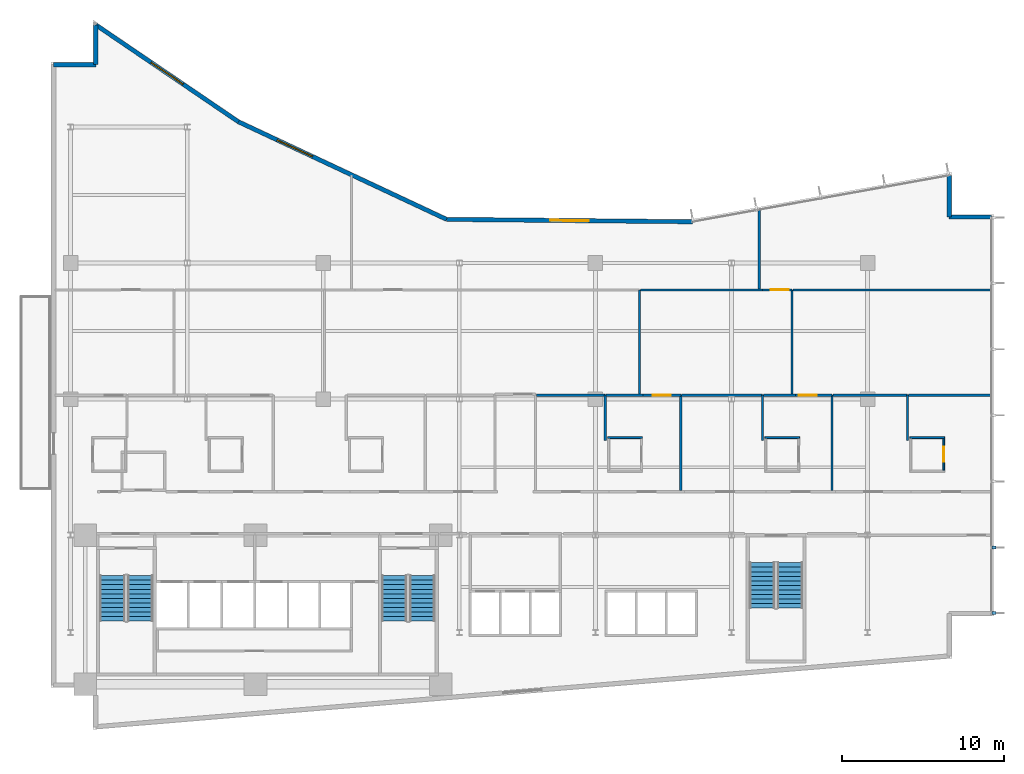
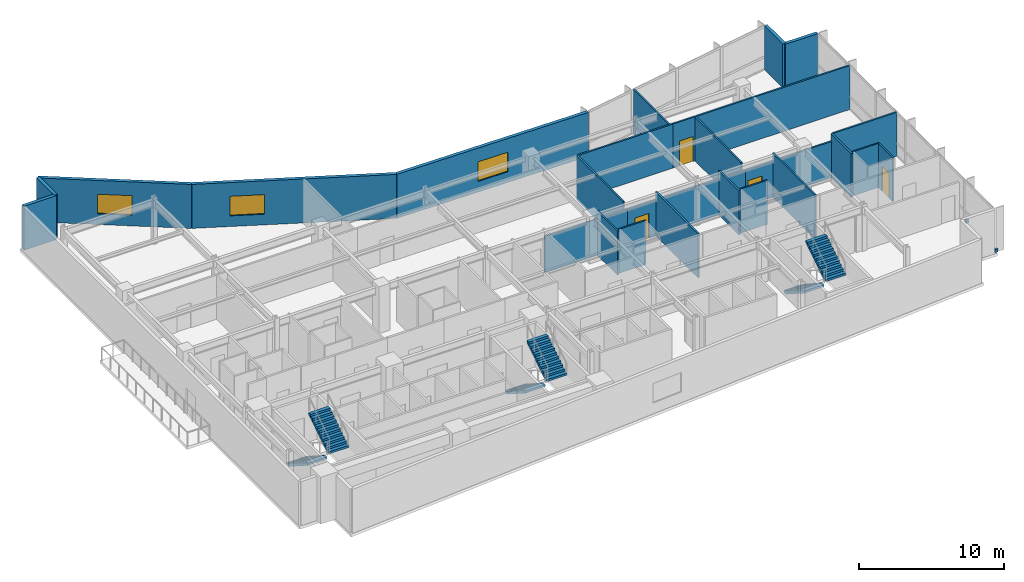
# One storey, part 15 of 20: 30 walls, 6 stair flights, 4 doors, 3 windows, 2 discrete accessories, 7 openings, 3 elements without a shape of their own.
"""IFC4 building model written with IfcOpenShell, lengths in metres."""

from ifc_helpers import new_model, si_unit, direction, frame, frame_2d, origin, origin_2d, place, context, subcontext, project, spatial, polyline, rectangle, outline, extrude, material, layer, layer_set, type_object, element, fill, aggregate, save


model = new_model("IFC4")

# Units and contexts
model_context = context("Model", 3, precision=1e-05, world=origin(), true_north=direction((0.0, 1.0)))
body_context = subcontext(model_context, "Body", "Model", "MODEL_VIEW")
ifc_project = project(units=[si_unit("LENGTHUNIT", "METRE"), si_unit("AREAUNIT", "SQUARE_METRE"), si_unit("VOLUMEUNIT", "CUBIC_METRE"), si_unit("PLANEANGLEUNIT", "RADIAN"), si_unit("MASSUNIT", "GRAM", prefix="KILO")], contexts=[model_context])

# Site, building, storey
site_placement = place(None, origin())
site = spatial("IfcSite", under=ifc_project, at=site_placement, CompositionType="ELEMENT")
building_placement = place(site_placement, origin())
building = spatial("IfcBuilding", under=site, at=building_placement, Name="Varnakote Quay Hospital", CompositionType="ELEMENT")
storey_placement = place(building_placement, frame((0.0, 0.0, 26.449951171875)))
storey = spatial("IfcBuildingStorey", under=building, at=storey_placement, Name="L06", CompositionType="ELEMENT", Elevation=26.449951171875)

# Walls
ifc_material_1 = material(Name="Moisture-resistant bathroom partition", Category="gypsum")
ifc_layer_1 = layer(ifc_material_1, 0.114990234375)
ifc_layer_set_1 = layer_set([ifc_layer_1], Name="Moisture-resistant bathroom partition")
wall_type_1 = type_object("IfcWallType", Name="WL-ENS-115", PredefinedType="PARTITIONING", material=ifc_layer_set_1)
wall_1_placement = place(storey_placement, frame((34.35498046875, 18.017578125, 0.0), z_axis=(0.0, 0.0, 1.0), x_axis=(1.0, 0.0, 0.0)))
element("IfcWall", 1, at=wall_1_placement, inside=storey, type_object=wall_type_1, Name="L06 Inpatient En-Suite Bathroom 04 N Wall", PredefinedType="PARTITIONING", context=body_context, shape_type="SweptSolid", body=[
    extrude(rectangle(XDim=2.14990234375, YDim=0.114990234375, at=frame_2d((1.074951171875, 0.0))), origin(), (0.0, 0.0, 1.0), 3.7099609375),
])
for number, where, z_axis, x_axis, name in (
    (2, (44.054931640625, 18.017578125, 0.0), (0.0, 0.0, 1.0), (1.0, 0.0, 0.0), "L06 Inpatient En-Suite Bathroom 05 N Wall"),
    (3, (53.0048828125, 18.017578125, 0.0), (0.0, 0.0, 1.0), (1.0, 0.0, 0.0), "L06 Inpatient En-Suite Bathroom 06 N Wall"),
):
    element("IfcWall", number, at=place(storey_placement, frame(where, z_axis=z_axis, x_axis=x_axis)), inside=storey, type_object=wall_type_1, Name=name, PredefinedType="PARTITIONING", context=body_context, shape_type="SweptSolid", body=[
        extrude(rectangle(XDim=2.150146484375, YDim=0.114990234375, at=frame_2d((1.0751953125, 0.0))), origin(), (0.0, 0.0, 1.0), 3.7099609375),
    ])

# Wall, opening, door
wall_2_placement = place(storey_placement, frame((55.097412109375, 16.010009765625, 0.0), z_axis=(0.0, 0.0, 1.0), x_axis=(0.0, 1.0, 0.0)))
wall_2 = element("IfcWall", 4, at=wall_2_placement, inside=storey, type_object=wall_type_1, Name="L06 Inpatient En-Suite Bathroom 06 E Wall", PredefinedType="PARTITIONING", context=body_context, shape_type="SweptSolid", body=[
    extrude(rectangle(XDim=1.949951171875, YDim=0.114990234375, at=frame_2d((0.97509765625, 0.0))), origin(), (0.0, 0.0, 1.0), 3.7099609375),
])
opening_1_placement = place(wall_2_placement, frame((0.514892578125, 0.0, 0.0)))
opening_1 = element("IfcOpeningElement", 5, at=opening_1_placement, cuts=wall_2, Name="Opening D-L06-ENS06", PredefinedType="OPENING", context=body_context, shape_type="SweptSolid", body=[
    extrude(rectangle(XDim=0.919921875, YDim=2.10009765625, at=frame_2d((0.4599609375, 1.050048828125))), frame((0.0, 0.0673828125, 0.0), z_axis=(0.0, -1.0, 0.0), x_axis=(1.0, 0.0, 0.0)), (0.0, 0.0, 1.0), 0.135009765625),
])
ifc_material_2 = material(Name="Moisture-sealed en-suite bathroom door")
door_type_1 = type_object("IfcDoorType", Name="DR-ENS-920x2100", OperationType="NOTDEFINED", PredefinedType="DOOR", material=ifc_material_2)
door_1_placement = place(opening_1_placement, origin())
door_1 = element("IfcDoor", 6, at=door_1_placement, inside=storey, type_object=door_type_1, Name="L06 Inpatient En-Suite Bathroom 06 Door", OperationType="SINGLE_SWING_LEFT", OverallHeight=2.10009765625, OverallWidth=0.919921875, PredefinedType="DOOR", context=body_context, shape_type="SweptSolid", body=[
    extrude(rectangle(XDim=0.919921875, YDim=2.10009765625, at=frame_2d((0.4599609375, 1.050048828125))), frame((0.0, 0.02490234375, 0.0), z_axis=(0.0, -1.0, 0.0), x_axis=(1.0, 0.0, 0.0)), (0.0, 0.0, 1.0), 0.050048828125),
])
fill(opening_1, door_1)

# Walls
ifc_material_3 = material(Name="Precast concrete N50 (f'c 50 MPa)", Category="concrete")
ifc_layer_2 = layer(ifc_material_3, 0.260009765625)
ifc_layer_set_2 = layer_set([ifc_layer_2], Name="Precast concrete N50 (f'c 50 MPa)")
wall_type_2 = type_object("IfcWallType", Name="WL-EXT-BRICK-260", PredefinedType="STANDARD", material=ifc_layer_set_2)
wall_3_placement = place(storey_placement, frame((58.0400390625, 31.639892578125, 0.0), z_axis=(0.0, 0.0, 1.0), x_axis=(-1.0, 0.0, 0.0)))
element("IfcWall", 7, at=wall_3_placement, inside=storey, type_object=wall_type_2, Name="L06 Brick-Faced Precast Exterior Wall", PredefinedType="STANDARD", context=body_context, shape_type="SweptSolid", body=[
    extrude(rectangle(XDim=2.60009765625, YDim=0.260009765625, at=frame_2d((1.300048828125, 0.0))), origin(), (0.0, 0.0, 1.0), 3.7099609375),
])
wall_4_placement = place(storey_placement, frame((55.43994140625, 31.639892578125, 0.0), z_axis=(0.0, 0.0, 1.0), x_axis=(0.0, 1.0, 0.0)))
element("IfcWall", 8, at=wall_4_placement, inside=storey, type_object=wall_type_2, Name="L06 Brick-Faced Precast Exterior Wall", PredefinedType="STANDARD", context=body_context, shape_type="SweptSolid", body=[
    extrude(rectangle(XDim=2.568603515625, YDim=0.260009765625, at=frame_2d((1.2841796875, 0.0))), origin(), (0.0, 0.0, 1.0), 3.7099609375),
])

# Wall, opening, window
wall_5_placement = place(storey_placement, frame((39.589599609375, 31.343994140625, 0.0), z_axis=(0.0, 0.0, 1.0), x_axis=(-0.999952362926, 0.009760731435, 0.0)))
wall_5 = element("IfcWall", 9, at=wall_5_placement, inside=storey, type_object=wall_type_2, Name="L06 Brick-Faced Precast Exterior Wall", PredefinedType="STANDARD", context=body_context, shape_type="SweptSolid", body=[
    extrude(rectangle(XDim=15.1826171875, YDim=0.260009765625, at=frame_2d((7.59130859375, 0.0))), origin(), (0.0, 0.0, 1.0), 3.7099609375),
])
opening_2_placement = place(wall_5_placement, frame((6.391357421875, 0.0, 0.89990234375)))
opening_2 = element("IfcOpeningElement", 10, at=opening_2_placement, cuts=wall_5, Name="Opening WN-0039", PredefinedType="OPENING", context=body_context, shape_type="SweptSolid", body=[
    extrude(rectangle(XDim=2.39990234375, YDim=1.64990234375, at=frame_2d((1.199951171875, 0.824951171875))), frame((0.0, 0.139892578125, 0.0), z_axis=(0.0, -1.0, 0.0), x_axis=(1.0, 0.0, 0.0)), (0.0, 0.0, 1.0), 0.280029296875),
])
ifc_material_4 = material(Name="Double-glazed low-E solar glass", Category="glass")
window_type = type_object("IfcWindowType", Name="WIN-CLIN-2400x1650", PartitioningType="SINGLE_PANEL", PredefinedType="WINDOW", material=ifc_material_4)
window_1_placement = place(opening_2_placement, origin())
window_1 = element("IfcWindow", 11, at=window_1_placement, inside=storey, type_object=window_type, Name="L06 Solar-Control Clinical Window", OverallHeight=1.64990234375, OverallWidth=2.39990234375, PartitioningType="SINGLE_PANEL", PredefinedType="WINDOW", context=body_context, shape_type="SweptSolid", body=[
    extrude(rectangle(XDim=2.39990234375, YDim=1.64990234375, at=frame_2d((1.199951171875, 0.824951171875))), frame((0.0, 0.030029296875, 0.0), z_axis=(0.0, -1.0, 0.0), x_axis=(1.0, 0.0, 0.0)), (0.0, 0.0, 1.0), 0.06005859375),
])
fill(opening_2, window_1)

wall_6_placement = place(storey_placement, frame((24.40771484375, 31.4921875, 0.0), z_axis=(0.0, 0.0, 1.0), x_axis=(-0.905396522918, 0.424566998585, 0.0)))
wall_6 = element("IfcWall", 12, at=wall_6_placement, inside=storey, type_object=wall_type_2, Name="L06 Brick-Faced Precast Exterior Wall", PredefinedType="STANDARD", context=body_context, shape_type="SweptSolid", body=[
    extrude(rectangle(XDim=14.189453125, YDim=0.260009765625, at=frame_2d((7.0947265625, 0.0))), origin(), (0.0, 0.0, 1.0), 3.7099609375),
])
opening_3_placement = place(wall_6_placement, frame((9.14501953125, 0.0, 0.89990234375)))
opening_3 = element("IfcOpeningElement", 13, at=opening_3_placement, cuts=wall_6, Name="Opening WN-0040", PredefinedType="OPENING", context=body_context, shape_type="SweptSolid", body=[
    extrude(rectangle(XDim=2.39990234375, YDim=1.64990234375, at=frame_2d((1.199951171875, 0.824951171875))), frame((0.0, 0.139892578125, 0.0), z_axis=(0.0, -1.0, 0.0), x_axis=(1.0, 0.0, 0.0)), (0.0, 0.0, 1.0), 0.280029296875),
])
window_2_placement = place(opening_3_placement, origin())
window_2 = element("IfcWindow", 14, at=window_2_placement, inside=storey, type_object=window_type, Name="L06 Solar-Control Clinical Window", OverallHeight=1.64990234375, OverallWidth=2.39990234375, PartitioningType="SINGLE_PANEL", PredefinedType="WINDOW", context=body_context, shape_type="SweptSolid", body=[
    extrude(rectangle(XDim=2.39990234375, YDim=1.64990234375, at=frame_2d((1.199951171875, 0.824951171875))), frame((0.0, 0.030029296875, 0.0), z_axis=(0.0, -1.0, 0.0), x_axis=(1.0, 0.0, 0.0)), (0.0, 0.0, 1.0), 0.06005859375),
])
fill(opening_3, window_2)

wall_7_placement = place(storey_placement, frame((11.560546875, 37.5166015625, 0.0), z_axis=(0.0, 0.0, 1.0), x_axis=(-0.827064743936, 0.562106670782, 0.0)))
wall_7 = element("IfcWall", 15, at=wall_7_placement, inside=storey, type_object=wall_type_2, Name="L06 Brick-Faced Precast Exterior Wall", PredefinedType="STANDARD", context=body_context, shape_type="SweptSolid", body=[
    extrude(rectangle(XDim=10.640625, YDim=0.260009765625, at=frame_2d((5.3203125, 0.0))), origin(), (0.0, 0.0, 1.0), 3.7099609375),
])
opening_4_placement = place(wall_7_placement, frame((4.120361328125, 0.0, 0.89990234375)))
opening_4 = element("IfcOpeningElement", 16, at=opening_4_placement, cuts=wall_7, Name="Opening WN-0041", PredefinedType="OPENING", context=body_context, shape_type="SweptSolid", body=[
    extrude(rectangle(XDim=2.39990234375, YDim=1.64990234375, at=frame_2d((1.199951171875, 0.824951171875))), frame((0.0, 0.139892578125, 0.0), z_axis=(0.0, -1.0, 0.0), x_axis=(1.0, 0.0, 0.0)), (0.0, 0.0, 1.0), 0.280029296875),
])
window_3_placement = place(opening_4_placement, origin())
window_3 = element("IfcWindow", 17, at=window_3_placement, inside=storey, type_object=window_type, Name="L06 Solar-Control Clinical Window", OverallHeight=1.64990234375, OverallWidth=2.39990234375, PartitioningType="SINGLE_PANEL", PredefinedType="WINDOW", context=body_context, shape_type="SweptSolid", body=[
    extrude(rectangle(XDim=2.39990234375, YDim=1.64990234375, at=frame_2d((1.199951171875, 0.824951171875))), frame((0.0, 0.030029296875, 0.0), z_axis=(0.0, -1.0, 0.0), x_axis=(1.0, 0.0, 0.0)), (0.0, 0.0, 1.0), 0.06005859375),
])
fill(opening_4, window_3)

# Walls
wall_8_placement = place(storey_placement, frame((2.760009765625, 43.497802734375, 0.0), z_axis=(0.0, 0.0, 1.0), x_axis=(0.0, -1.0, 0.0)))
element("IfcWall", 18, at=wall_8_placement, inside=storey, type_object=wall_type_2, Name="L06 Brick-Faced Precast Exterior Wall", PredefinedType="STANDARD", context=body_context, shape_type="SweptSolid", body=[
    extrude(rectangle(XDim=2.457763671875, YDim=0.260009765625, at=frame_2d((1.22900390625, 0.0))), origin(), (0.0, 0.0, 1.0), 3.7099609375),
])
wall_9_placement = place(storey_placement, frame((2.760009765625, 41.0400390625, 0.0), z_axis=(0.0, 0.0, 1.0), x_axis=(-1.0, 0.0, 0.0)))
element("IfcWall", 19, at=wall_9_placement, inside=storey, type_object=wall_type_2, Name="L06 Brick-Faced Precast Exterior Wall", PredefinedType="STANDARD", context=body_context, shape_type="SweptSolid", body=[
    extrude(rectangle(XDim=2.60009765625, YDim=0.260009765625, at=frame_2d((1.300048828125, 0.0))), origin(), (0.0, 0.0, 1.0), 3.7099609375),
])
ifc_material_5 = material(Name="Smoke-proof clinical partition", Category="gypsum")
ifc_layer_3 = layer(ifc_material_5, 0.135009765625)
ifc_layer_set_3 = layer_set([ifc_layer_3], Name="Smoke-proof clinical partition")
wall_type_3 = type_object("IfcWallType", Name="WL-SMOKE-135", PredefinedType="PARTITIONING", material=ifc_layer_set_3)
wall_10_placement = place(storey_placement, frame((34.2099609375, 17.83251953125, 0.0), z_axis=(0.0, 0.0, 1.0), x_axis=(0.0, 1.0, 0.0)))
element("IfcWall", 20, at=wall_10_placement, inside=storey, type_object=wall_type_3, Name="L06 Clinical Interior Partition", PredefinedType="PARTITIONING", context=body_context, shape_type="SweptSolid", body=[
    extrude(rectangle(XDim=2.807373046875, YDim=0.135009765625, at=frame_2d((1.40380859375, 0.0))), origin(), (0.0, 0.0, 1.0), 3.7099609375),
])
wall_11_placement = place(storey_placement, frame((34.2099609375, 20.639892578125, 0.0), z_axis=(0.0, 0.0, 1.0), x_axis=(-1.0, 0.0, 0.0)))
element("IfcWall", 21, at=wall_11_placement, inside=storey, type_object=wall_type_3, Name="L06 Clinical Interior Partition", PredefinedType="PARTITIONING", context=body_context, shape_type="SweptSolid", body=[
    extrude(rectangle(XDim=4.244873046875, YDim=0.135009765625, at=frame_2d((2.12255859375, 0.0))), origin(), (0.0, 0.0, 1.0), 3.072998046875),
])
wall_12_placement = place(storey_placement, frame((38.8701171875, 14.760009765625, 0.0), z_axis=(0.0, 0.0, 1.0), x_axis=(0.0, 1.0, 0.0)))
element("IfcWall", 22, at=wall_12_placement, inside=storey, type_object=wall_type_3, Name="L06 Clinical Interior Partition", PredefinedType="PARTITIONING", context=body_context, shape_type="SweptSolid", body=[
    extrude(rectangle(XDim=5.8798828125, YDim=0.135009765625, at=frame_2d((2.93994140625, 0.0))), origin(), (0.0, 0.0, 1.0), 3.7099609375),
])
wall_13_placement = place(storey_placement, frame((36.527587890625, 20.639892578125, 0.0), z_axis=(0.0, 0.0, 1.0), x_axis=(-1.0, 0.0, 0.0)))
element("IfcWall", 23, at=wall_13_placement, inside=storey, type_object=wall_type_3, Name="L06 Clinical Interior Partition", PredefinedType="PARTITIONING", context=body_context, shape_type="SweptSolid", body=[
    extrude(rectangle(XDim=2.260009765625, YDim=0.135009765625, at=frame_2d((1.1298828125, 0.0))), origin(), (0.0, 0.0, 1.0), 3.072998046875),
])

# Wall, opening, door
wall_14_placement = place(storey_placement, frame((38.8701171875, 20.639892578125, 0.0), z_axis=(0.0, 0.0, 1.0), x_axis=(-1.0, 0.0, 0.0)))
wall_14 = element("IfcWall", 24, at=wall_14_placement, inside=storey, type_object=wall_type_3, Name="L06 Clinical Interior Partition", PredefinedType="PARTITIONING", context=body_context, shape_type="SweptSolid", body=[
    extrude(rectangle(XDim=2.340576171875, YDim=0.135009765625, at=frame_2d((1.17041015625, 0.0))), origin(), (0.0, 0.0, 1.0), 3.072998046875),
])
opening_5_placement = place(wall_14_placement, frame((0.6201171875, 0.0, 0.0)))
opening_5 = element("IfcOpeningElement", 25, at=opening_5_placement, cuts=wall_14, Name="Opening D-L06-MD08", PredefinedType="OPENING", context=body_context, shape_type="SweptSolid", body=[
    extrude(rectangle(XDim=1.10009765625, YDim=2.10009765625, at=frame_2d((0.550048828125, 1.050048828125))), frame((0.0, 0.077392578125, 0.0), z_axis=(0.0, -1.0, 0.0), x_axis=(1.0, 0.0, 0.0)), (0.0, 0.0, 1.0), 0.155029296875),
])
ifc_material_6 = material(Name="Acoustic timber clinical consult door", Category="wood")
door_type_2 = type_object("IfcDoorType", Name="DR-CLIN-FD30S-1100x2100", OperationType="NOTDEFINED", PredefinedType="DOOR", material=ifc_material_6)
door_2_placement = place(opening_5_placement, origin())
door_2 = element("IfcDoor", 26, at=door_2_placement, inside=storey, type_object=door_type_2, Name="L06 Case Review Meeting Room Door", OperationType="SINGLE_SWING_RIGHT", OverallHeight=2.10009765625, OverallWidth=1.10009765625, PredefinedType="DOOR", context=body_context, shape_type="SweptSolid", body=[
    extrude(rectangle(XDim=1.10009765625, YDim=2.10009765625, at=frame_2d((0.550048828125, 1.050048828125))), frame((0.0, 0.02490234375, 0.0), z_axis=(0.0, -1.0, 0.0), x_axis=(1.0, 0.0, 0.0)), (0.0, 0.0, 1.0), 0.050048828125),
])
fill(opening_5, door_2)

# Walls
wall_15_placement = place(storey_placement, frame((43.909912109375, 17.83251953125, 0.0), z_axis=(0.0, 0.0, 1.0), x_axis=(0.0, 1.0, 0.0)))
element("IfcWall", 27, at=wall_15_placement, inside=storey, type_object=wall_type_3, Name="L06 Clinical Interior Partition", PredefinedType="PARTITIONING", context=body_context, shape_type="SweptSolid", body=[
    extrude(rectangle(XDim=2.807373046875, YDim=0.135009765625, at=frame_2d((1.40380859375, 0.0))), origin(), (0.0, 0.0, 1.0), 3.7099609375),
])
wall_16_placement = place(storey_placement, frame((43.909912109375, 20.639892578125, 0.0), z_axis=(0.0, 0.0, 1.0), x_axis=(-1.0, 0.0, 0.0)))
element("IfcWall", 28, at=wall_16_placement, inside=storey, type_object=wall_type_3, Name="L06 Clinical Interior Partition", PredefinedType="PARTITIONING", context=body_context, shape_type="SweptSolid", body=[
    extrude(rectangle(XDim=4.982421875, YDim=0.135009765625, at=frame_2d((2.4912109375, 0.0))), origin(), (0.0, 0.0, 1.0), 3.072998046875),
])
wall_17_placement = place(storey_placement, frame((48.199951171875, 14.760009765625, 0.0), z_axis=(0.0, 0.0, 1.0), x_axis=(0.0, 1.0, 0.0)))
element("IfcWall", 29, at=wall_17_placement, inside=storey, type_object=wall_type_3, Name="L06 Clinical Interior Partition", PredefinedType="PARTITIONING", context=body_context, shape_type="SweptSolid", body=[
    extrude(rectangle(XDim=5.8798828125, YDim=0.135009765625, at=frame_2d((2.93994140625, 0.0))), origin(), (0.0, 0.0, 1.0), 3.7099609375),
])
wall_18_placement = place(storey_placement, frame((45.9375, 20.639892578125, 0.0), z_axis=(0.0, 0.0, 1.0), x_axis=(-1.0, 0.0, 0.0)))
element("IfcWall", 30, at=wall_18_placement, inside=storey, type_object=wall_type_3, Name="L06 Clinical Interior Partition", PredefinedType="PARTITIONING", context=body_context, shape_type="SweptSolid", body=[
    extrude(rectangle(XDim=1.969970703125, YDim=0.135009765625, at=frame_2d((0.98486328125, 0.0))), origin(), (0.0, 0.0, 1.0), 3.072998046875),
])

# Wall, opening, door
wall_19_placement = place(storey_placement, frame((48.199951171875, 20.639892578125, 0.0), z_axis=(0.0, 0.0, 1.0), x_axis=(-1.0, 0.0, 0.0)))
wall_19 = element("IfcWall", 31, at=wall_19_placement, inside=storey, type_object=wall_type_3, Name="L06 Clinical Interior Partition", PredefinedType="PARTITIONING", context=body_context, shape_type="SweptSolid", body=[
    extrude(rectangle(XDim=2.260498046875, YDim=0.135009765625, at=frame_2d((1.13037109375, 0.0))), origin(), (0.0, 0.0, 1.0), 3.072998046875),
])
opening_6_placement = place(wall_19_placement, frame((0.94140625, 0.0, 0.0)))
opening_6 = element("IfcOpeningElement", 32, at=opening_6_placement, cuts=wall_19, Name="Opening D-L06-MD09", PredefinedType="OPENING", context=body_context, shape_type="SweptSolid", body=[
    extrude(rectangle(XDim=1.10009765625, YDim=2.10009765625, at=frame_2d((0.550048828125, 1.050048828125))), frame((0.0, 0.077392578125, 0.0), z_axis=(0.0, -1.0, 0.0), x_axis=(1.0, 0.0, 0.0)), (0.0, 0.0, 1.0), 0.155029296875),
])
door_3_placement = place(opening_6_placement, origin())
door_3 = element("IfcDoor", 33, at=door_3_placement, inside=storey, type_object=door_type_2, Name="L06 Clinical Diagnostics Seminar Room Door", OperationType="SINGLE_SWING_LEFT", OverallHeight=2.10009765625, OverallWidth=1.10009765625, PredefinedType="DOOR", context=body_context, shape_type="SweptSolid", body=[
    extrude(rectangle(XDim=1.10009765625, YDim=2.10009765625, at=frame_2d((0.550048828125, 1.050048828125))), frame((0.0, 0.02490234375, 0.0), z_axis=(0.0, -1.0, 0.0), x_axis=(1.0, 0.0, 0.0)), (0.0, 0.0, 1.0), 0.050048828125),
])
fill(opening_6, door_3)

# Walls
wall_20_placement = place(storey_placement, frame((52.860107421875, 17.83251953125, 0.0), z_axis=(0.0, 0.0, 1.0), x_axis=(0.0, 1.0, 0.0)))
element("IfcWall", 34, at=wall_20_placement, inside=storey, type_object=wall_type_3, Name="L06 Clinical Interior Partition", PredefinedType="PARTITIONING", context=body_context, shape_type="SweptSolid", body=[
    extrude(rectangle(XDim=2.807373046875, YDim=0.135009765625, at=frame_2d((1.40380859375, 0.0))), origin(), (0.0, 0.0, 1.0), 3.7099609375),
])
wall_21_placement = place(storey_placement, frame((52.860107421875, 20.639892578125, 0.0), z_axis=(0.0, 0.0, 1.0), x_axis=(-1.0, 0.0, 0.0)))
element("IfcWall", 35, at=wall_21_placement, inside=storey, type_object=wall_type_3, Name="L06 Clinical Interior Partition", PredefinedType="PARTITIONING", context=body_context, shape_type="SweptSolid", body=[
    extrude(rectangle(XDim=4.6025390625, YDim=0.135009765625, at=frame_2d((2.30126953125, 0.0))), origin(), (0.0, 0.0, 1.0), 3.072998046875),
])
wall_22_placement = place(storey_placement, frame((58.0400390625, 20.639892578125, 0.0), z_axis=(0.0, 0.0, 1.0), x_axis=(-1.0, 0.0, 0.0)))
element("IfcWall", 36, at=wall_22_placement, inside=storey, type_object=wall_type_3, Name="L06 Clinical Interior Partition", PredefinedType="PARTITIONING", context=body_context, shape_type="SweptSolid", body=[
    extrude(rectangle(XDim=5.12255859375, YDim=0.135009765625, at=frame_2d((2.561279296875, 0.0))), origin(), (0.0, 0.0, 1.0), 3.7099609375),
])
for number, where, z_axis, x_axis, name in (
    (37, (36.320068359375, 20.697509765625, 0.0), (0.0, 0.0, 1.0), (0.0, 1.0, 0.0), "L06 Clinical Interior Partition"),
    (38, (45.72998046875, 20.697509765625, 0.0), (0.0, 0.0, 1.0), (0.0, 1.0, 0.0), "L06 Clinical Interior Partition"),
):
    element("IfcWall", number, at=place(storey_placement, frame(where, z_axis=z_axis, x_axis=x_axis)), inside=storey, type_object=wall_type_3, Name=name, PredefinedType="PARTITIONING", context=body_context, shape_type="SweptSolid", body=[
        extrude(rectangle(XDim=6.4423828125, YDim=0.135009765625, at=frame_2d((3.22119140625, 0.0))), origin(), (0.0, 0.0, 1.0), 3.7099609375),
    ])
wall_23_placement = place(storey_placement, frame((43.91748046875, 27.139892578125, 0.0), z_axis=(0.0, 0.0, 1.0), x_axis=(-1.0, 0.0, 0.0)))
element("IfcWall", 39, at=wall_23_placement, inside=storey, type_object=wall_type_3, Name="L06 Clinical Interior Partition", PredefinedType="PARTITIONING", context=body_context, shape_type="SweptSolid", body=[
    extrude(rectangle(XDim=7.5400390625, YDim=0.135009765625, at=frame_2d((3.77001953125, 0.0))), origin(), (0.0, 0.0, 1.0), 3.7099609375),
])

# Wall, opening, door
wall_24_placement = place(storey_placement, frame((45.72998046875, 27.139892578125, 0.0), z_axis=(0.0, 0.0, 1.0), x_axis=(-1.0, 0.0, 0.0)))
wall_24 = element("IfcWall", 40, at=wall_24_placement, inside=storey, type_object=wall_type_3, Name="L06 Clinical Interior Partition", PredefinedType="PARTITIONING", context=body_context, shape_type="SweptSolid", body=[
    extrude(rectangle(XDim=1.810546875, YDim=0.135009765625, at=frame_2d((0.9052734375, 0.0))), origin(), (0.0, 0.0, 1.0), 3.7099609375),
])
opening_7_placement = place(wall_24_placement, frame((0.207763671875, 0.0, 0.0)))
opening_7 = element("IfcOpeningElement", 41, at=opening_7_placement, cuts=wall_24, Name="Opening D-L06-MD12", PredefinedType="OPENING", context=body_context, shape_type="SweptSolid", body=[
    extrude(rectangle(XDim=1.10009765625, YDim=2.10009765625, at=frame_2d((0.550048828125, 1.050048828125))), frame((0.0, 0.077392578125, 0.0), z_axis=(0.0, -1.0, 0.0), x_axis=(1.0, 0.0, 0.0)), (0.0, 0.0, 1.0), 0.155029296875),
])
door_4_placement = place(opening_7_placement, origin())
door_4 = element("IfcDoor", 42, at=door_4_placement, inside=storey, type_object=door_type_2, Name="L06 Case Review Meeting Room Door", OperationType="SINGLE_SWING_RIGHT", OverallHeight=2.10009765625, OverallWidth=1.10009765625, PredefinedType="DOOR", context=body_context, shape_type="SweptSolid", body=[
    extrude(rectangle(XDim=1.10009765625, YDim=2.10009765625, at=frame_2d((0.550048828125, 1.050048828125))), frame((0.0, 0.02490234375, 0.0), z_axis=(0.0, -1.0, 0.0), x_axis=(1.0, 0.0, 0.0)), (0.0, 0.0, 1.0), 0.050048828125),
])
fill(opening_7, door_4)

# Walls
wall_25_placement = place(storey_placement, frame((58.0400390625, 27.139892578125, 0.0), z_axis=(0.0, 0.0, 1.0), x_axis=(-1.0, 0.0, 0.0)))
element("IfcWall", 43, at=wall_25_placement, inside=storey, type_object=wall_type_3, Name="L06 Clinical Interior Partition", PredefinedType="PARTITIONING", context=body_context, shape_type="SweptSolid", body=[
    extrude(rectangle(XDim=12.25244140625, YDim=0.135009765625, at=frame_2d((6.126220703125, 0.0))), origin(), (0.0, 0.0, 1.0), 3.7099609375),
])
wall_26_placement = place(storey_placement, frame((43.7099609375, 27.197509765625, 0.0), z_axis=(0.0, 0.0, 1.0), x_axis=(0.0, 1.0, 0.0)))
element("IfcWall", 44, at=wall_26_placement, inside=storey, type_object=wall_type_3, Name="L06 Clinical Interior Partition", PredefinedType="PARTITIONING", context=body_context, shape_type="SweptSolid", body=[
    extrude(rectangle(XDim=4.890869140625, YDim=0.135009765625, at=frame_2d((2.4453125, 0.0))), origin(), (0.0, 0.0, 1.0), 3.7099609375),
])

# Stair, stair flights
ifc_material_7 = material(Name="Concrete N40 (f'c 40 MPa)", Category="concrete")
stair_type = type_object("IfcStairType", Name="STR-CORE-1580", PredefinedType="HALF_TURN_STAIR", material=ifc_material_7)
stair_1_placement = place(storey_placement, origin())
stair_1 = element("IfcStair", 45, at=stair_1_placement, inside=storey, type_object=stair_type, Name="L06 Fire-Isolated Exit Stair ST-01", PredefinedType="HALF_TURN_STAIR")
ifc_material_8 = material(Name="Concrete N40 (f'c 40 MPa)", Category="concrete")
ifc_layer_4 = layer(ifc_material_8, 0.159912109375)
ifc_layer_set_4 = layer_set([ifc_layer_4], Name="Concrete N40 (f'c 40 MPa)")
stair_flight_type = type_object("IfcStairFlightType", Name="FLT-CORE-1580", PredefinedType="STRAIGHT", material=ifc_layer_set_4)
stair_flight_1_placement = place(storey_placement, frame((3.7900390625, 9.5, 0.0), z_axis=(0.0, 0.0, 1.0), x_axis=(0.0, -1.0, 0.0)))
stair_flight_1 = element("IfcStairFlight", 46, at=stair_flight_1_placement, type_object=stair_flight_type, Name="ST-01 flight 1", NumberOfRisers=11, NumberOfTreads=10, PredefinedType="STRAIGHT", RiserHeight=0.179545455, TreadLength=0.28, context=body_context, shape_type="SweptSolid", body=[
    extrude(outline(polyline([(0.0, 0.0), (0.0, 0.179443359375), (0.280029296875, 0.179443359375), (0.280029296875, 0.359130859375), (0.56005859375, 0.359130859375), (0.56005859375, 0.53857421875), (0.840087890625, 0.53857421875), (0.840087890625, 0.71826171875), (1.1201171875, 0.71826171875), (1.1201171875, 0.897705078125), (1.39990234375, 0.897705078125), (1.39990234375, 1.077392578125), (1.679931640625, 1.077392578125), (1.679931640625, 1.2568359375), (1.9599609375, 1.2568359375), (1.9599609375, 1.436279296875), (2.239990234375, 1.436279296875), (2.239990234375, 1.615966796875), (2.52001953125, 1.615966796875), (2.52001953125, 1.79541015625), (2.800048828125, 1.79541015625), (2.800048828125, 1.97509765625), (2.800048828125, 1.60546875), (0.296142578125, 0.0), (0.0, 0.0)])), frame((0.0, 0.7900390625, 0.0), z_axis=(0.0, -1.0, 0.0), x_axis=(1.0, 0.0, 0.0)), (0.0, 0.0, 1.0), 1.580078125),
])
stair_flight_2_placement = place(storey_placement, frame((5.510009765625, 6.699951171875, 1.97509765625), z_axis=(0.0, 0.0, 1.0), x_axis=(0.0, 1.0, 0.0)))
stair_flight_2 = element("IfcStairFlight", 47, at=stair_flight_2_placement, type_object=stair_flight_type, Name="ST-01 flight 2", NumberOfRisers=11, NumberOfTreads=10, PredefinedType="STRAIGHT", RiserHeight=0.179545455, TreadLength=0.28, context=body_context, shape_type="SweptSolid", body=[
    extrude(outline(polyline([(0.0, 0.0), (0.0, 0.179443359375), (0.280029296875, 0.179443359375), (0.280029296875, 0.359130859375), (0.56005859375, 0.359130859375), (0.56005859375, 0.53857421875), (0.840087890625, 0.53857421875), (0.840087890625, 0.71826171875), (1.1201171875, 0.71826171875), (1.1201171875, 0.897705078125), (1.39990234375, 0.897705078125), (1.39990234375, 1.077392578125), (1.679931640625, 1.077392578125), (1.679931640625, 1.2568359375), (1.9599609375, 1.2568359375), (1.9599609375, 1.436279296875), (2.239990234375, 1.436279296875), (2.239990234375, 1.615966796875), (2.52001953125, 1.615966796875), (2.52001953125, 1.79541015625), (2.800048828125, 1.79541015625), (2.800048828125, 1.97509765625), (2.800048828125, 1.60546875), (0.296142578125, 0.0), (0.0, 0.0)])), frame((0.0, 0.7900390625, 0.0), z_axis=(0.0, -1.0, 0.0), x_axis=(1.0, 0.0, 0.0)), (0.0, 0.0, 1.0), 1.580078125),
])
aggregate(stair_1, [stair_flight_1, stair_flight_2])

stair_2_placement = place(storey_placement, origin())
stair_2 = element("IfcStair", 48, at=stair_2_placement, inside=storey, type_object=stair_type, Name="L06 Fire-Isolated Exit Stair ST-02", PredefinedType="HALF_TURN_STAIR")
stair_flight_3_placement = place(storey_placement, frame((21.18994140625, 9.5, 0.0), z_axis=(0.0, 0.0, 1.0), x_axis=(0.0, -1.0, 0.0)))
stair_flight_3 = element("IfcStairFlight", 49, at=stair_flight_3_placement, type_object=stair_flight_type, Name="ST-02 flight 1", NumberOfRisers=11, NumberOfTreads=10, PredefinedType="STRAIGHT", RiserHeight=0.179545455, TreadLength=0.28, context=body_context, shape_type="SweptSolid", body=[
    extrude(outline(polyline([(0.0, 0.0), (0.0, 0.179443359375), (0.280029296875, 0.179443359375), (0.280029296875, 0.359130859375), (0.56005859375, 0.359130859375), (0.56005859375, 0.53857421875), (0.840087890625, 0.53857421875), (0.840087890625, 0.71826171875), (1.1201171875, 0.71826171875), (1.1201171875, 0.897705078125), (1.39990234375, 0.897705078125), (1.39990234375, 1.077392578125), (1.679931640625, 1.077392578125), (1.679931640625, 1.2568359375), (1.9599609375, 1.2568359375), (1.9599609375, 1.436279296875), (2.239990234375, 1.436279296875), (2.239990234375, 1.615966796875), (2.52001953125, 1.615966796875), (2.52001953125, 1.79541015625), (2.800048828125, 1.79541015625), (2.800048828125, 1.97509765625), (2.800048828125, 1.60546875), (0.296142578125, 0.0), (0.0, 0.0)])), frame((0.0, 0.7900390625, 0.0), z_axis=(0.0, -1.0, 0.0), x_axis=(1.0, 0.0, 0.0)), (0.0, 0.0, 1.0), 1.580078125),
])
stair_flight_4_placement = place(storey_placement, frame((22.909912109375, 6.699951171875, 1.97509765625), z_axis=(0.0, 0.0, 1.0), x_axis=(0.0, 1.0, 0.0)))
stair_flight_4 = element("IfcStairFlight", 50, at=stair_flight_4_placement, type_object=stair_flight_type, Name="ST-02 flight 2", NumberOfRisers=11, NumberOfTreads=10, PredefinedType="STRAIGHT", RiserHeight=0.179545455, TreadLength=0.28, context=body_context, shape_type="SweptSolid", body=[
    extrude(outline(polyline([(0.0, 0.0), (0.0, 0.179443359375), (0.280029296875, 0.179443359375), (0.280029296875, 0.359130859375), (0.56005859375, 0.359130859375), (0.56005859375, 0.53857421875), (0.840087890625, 0.53857421875), (0.840087890625, 0.71826171875), (1.1201171875, 0.71826171875), (1.1201171875, 0.897705078125), (1.39990234375, 0.897705078125), (1.39990234375, 1.077392578125), (1.679931640625, 1.077392578125), (1.679931640625, 1.2568359375), (1.9599609375, 1.2568359375), (1.9599609375, 1.436279296875), (2.239990234375, 1.436279296875), (2.239990234375, 1.615966796875), (2.52001953125, 1.615966796875), (2.52001953125, 1.79541015625), (2.800048828125, 1.79541015625), (2.800048828125, 1.97509765625), (2.800048828125, 1.60546875), (0.296142578125, 0.0), (0.0, 0.0)])), frame((0.0, 0.7900390625, 0.0), z_axis=(0.0, -1.0, 0.0), x_axis=(1.0, 0.0, 0.0)), (0.0, 0.0, 1.0), 1.580078125),
])
aggregate(stair_2, [stair_flight_3, stair_flight_4])

stair_3_placement = place(storey_placement, origin())
stair_3 = element("IfcStair", 51, at=stair_3_placement, inside=storey, type_object=stair_type, Name="L06 Fire-Isolated Exit Stair ST-03", PredefinedType="HALF_TURN_STAIR")
stair_flight_5_placement = place(storey_placement, frame((43.889892578125, 10.300048828125, 0.0), z_axis=(0.0, 0.0, 1.0), x_axis=(0.0, -1.0, 0.0)))
stair_flight_5 = element("IfcStairFlight", 52, at=stair_flight_5_placement, type_object=stair_flight_type, Name="ST-03 flight 1", NumberOfRisers=11, NumberOfTreads=10, PredefinedType="STRAIGHT", RiserHeight=0.179545455, TreadLength=0.28, context=body_context, shape_type="SweptSolid", body=[
    extrude(outline(polyline([(0.0, 0.0), (0.0, 0.179443359375), (0.280029296875, 0.179443359375), (0.280029296875, 0.359130859375), (0.56005859375, 0.359130859375), (0.56005859375, 0.53857421875), (0.840087890625, 0.53857421875), (0.840087890625, 0.71826171875), (1.1201171875, 0.71826171875), (1.1201171875, 0.897705078125), (1.39990234375, 0.897705078125), (1.39990234375, 1.077392578125), (1.679931640625, 1.077392578125), (1.679931640625, 1.2568359375), (1.9599609375, 1.2568359375), (1.9599609375, 1.436279296875), (2.239990234375, 1.436279296875), (2.239990234375, 1.615966796875), (2.52001953125, 1.615966796875), (2.52001953125, 1.79541015625), (2.800048828125, 1.79541015625), (2.800048828125, 1.97509765625), (2.800048828125, 1.60546875), (0.296142578125, 0.0), (0.0, 0.0)])), frame((0.0, 0.7900390625, 0.0), z_axis=(0.0, -1.0, 0.0), x_axis=(1.0, 0.0, 0.0)), (0.0, 0.0, 1.0), 1.580078125),
])
stair_flight_6_placement = place(storey_placement, frame((45.610107421875, 7.5, 1.97509765625), z_axis=(0.0, 0.0, 1.0), x_axis=(0.0, 1.0, 0.0)))
stair_flight_6 = element("IfcStairFlight", 53, at=stair_flight_6_placement, type_object=stair_flight_type, Name="ST-03 flight 2", NumberOfRisers=11, NumberOfTreads=10, PredefinedType="STRAIGHT", RiserHeight=0.179545455, TreadLength=0.28, context=body_context, shape_type="SweptSolid", body=[
    extrude(outline(polyline([(0.0, 0.0), (0.0, 0.179443359375), (0.280029296875, 0.179443359375), (0.280029296875, 0.359130859375), (0.56005859375, 0.359130859375), (0.56005859375, 0.53857421875), (0.840087890625, 0.53857421875), (0.840087890625, 0.71826171875), (1.1201171875, 0.71826171875), (1.1201171875, 0.897705078125), (1.39990234375, 0.897705078125), (1.39990234375, 1.077392578125), (1.679931640625, 1.077392578125), (1.679931640625, 1.2568359375), (1.9599609375, 1.2568359375), (1.9599609375, 1.436279296875), (2.239990234375, 1.436279296875), (2.239990234375, 1.615966796875), (2.52001953125, 1.615966796875), (2.52001953125, 1.79541015625), (2.800048828125, 1.79541015625), (2.800048828125, 1.97509765625), (2.800048828125, 1.60546875), (0.296142578125, 0.0), (0.0, 0.0)])), frame((0.0, 0.7900390625, 0.0), z_axis=(0.0, -1.0, 0.0), x_axis=(1.0, 0.0, 0.0)), (0.0, 0.0, 1.0), 1.580078125),
])
aggregate(stair_3, [stair_flight_5, stair_flight_6])

# Discrete accessories
ifc_material_9 = material(Name="Anodised aluminium 6063-T6 Bronze", Category="aluminium")
discrete_accessory_type = type_object("IfcDiscreteAccessoryType", Name="ACC-FIN-BRACKET-180", PredefinedType="BRACKET", material=ifc_material_9)
for number, where, z_axis, x_axis, name in (
    (54, (58.2099609375, 7.197509765625, 0.0), (0.0, 0.0, 1.0), (0.0, 1.0, 0.0), "L06 Curtain Wall Fin Fixing Bracket"),
    (55, (58.2099609375, 11.239990234375, 0.0), (0.0, 0.0, 1.0), (0.0, 1.0, 0.0), "L06 Curtain Wall Fin Fixing Bracket"),
):
    element("IfcDiscreteAccessory", number, at=place(storey_placement, frame(where, z_axis=z_axis, x_axis=x_axis)), inside=storey, type_object=discrete_accessory_type, Name=name, PredefinedType="BRACKET", context=body_context, shape_type="SweptSolid", body=[
        extrude(rectangle(XDim=0.159912109375, YDim=0.239990234375, at=origin_2d()), origin(), (0.0, 0.0, 1.0), 0.280029296875),
    ])

save(model, "model.ifc")
